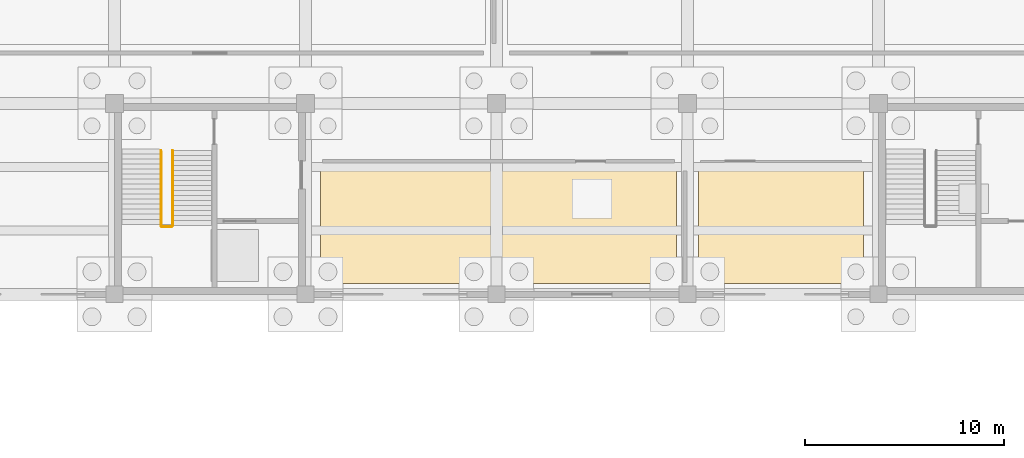
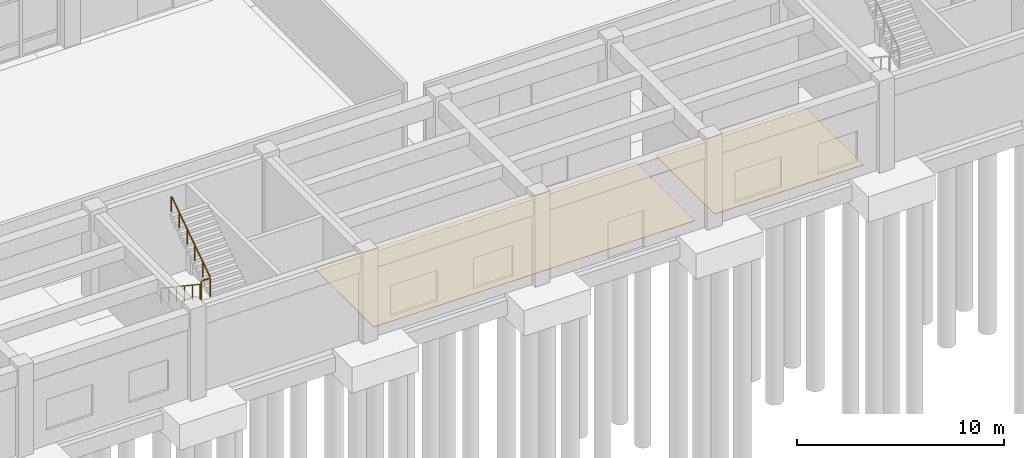
# One storey, part 95 of 102: 3 railings, 2 coverings.
"""IFC4 building model written with IfcOpenShell, lengths in metres."""

from ifc_helpers import new_model, si_unit, direction, frame, origin, origin_2d, place, context, subcontext, project, spatial, polyline, circle, outline, extrude, material, layer, layer_set, type_object, element, save


model = new_model("IFC4")

# Units and contexts
model_context = context("Model", 3, precision=1e-05, world=origin(), true_north=direction((0.0, 1.0)))
body_context = subcontext(model_context, "Body", "Model", "MODEL_VIEW")
ifc_project = project(units=[si_unit("LENGTHUNIT", "METRE"), si_unit("AREAUNIT", "SQUARE_METRE"), si_unit("VOLUMEUNIT", "CUBIC_METRE"), si_unit("PLANEANGLEUNIT", "RADIAN"), si_unit("MASSUNIT", "GRAM", prefix="KILO")], contexts=[model_context])

# Site, building, storey
site_placement = place(None, origin())
site = spatial("IfcSite", under=ifc_project, at=site_placement, CompositionType="ELEMENT")
building_placement = place(site_placement, origin())
building = spatial("IfcBuilding", under=site, at=building_placement, Name="Kolvemor Railside Polytechnic", CompositionType="ELEMENT")
storey_placement = place(building_placement, origin())
storey = spatial("IfcBuildingStorey", under=building, at=storey_placement, Name="L00", CompositionType="ELEMENT", Elevation=0.0)

# Coverings
ifc_material_1 = material(Name="Polished coral-aggregate terrazzo and laboratory epoxy flooring")
ifc_layer_1 = layer(ifc_material_1, 0.02490234375, Name="COV-FLR-2")
ifc_layer_set_1 = layer_set([ifc_layer_1], Name="Polished coral-aggregate terrazzo and laboratory epoxy flooring")
covering_type_1 = type_object("IfcCoveringType", Name="COV-FLR-2", PredefinedType="FLOORING", material=ifc_layer_set_1)
covering_1_placement = place(storey_placement, origin())
element("IfcCovering", 1, at=covering_1_placement, inside=storey, type_object=covering_type_1, Name="Primary 11 kV Electrical Switchroom Floor Finish", PredefinedType="FLOORING", context=body_context, shape_type="SweptSolid", body=[
    extrude(outline(polyline([(96.75, 91.75), (114.64990234375, 91.75), (114.64990234375, 97.449951171875), (96.75, 97.449951171875), (96.75, 91.75)])), origin(), (0.0, 0.0, 1.0), 0.02490234375),
])
ifc_material_2 = material(Name="Polished coral-aggregate terrazzo and laboratory epoxy flooring")
ifc_layer_2 = layer(ifc_material_2, 0.030029296875, Name="COV-FLR-3")
ifc_layer_set_2 = layer_set([ifc_layer_2], Name="Polished coral-aggregate terrazzo and laboratory epoxy flooring")
covering_type_2 = type_object("IfcCoveringType", Name="COV-FLR-3", PredefinedType="FLOORING", material=ifc_layer_set_2)
covering_2_placement = place(storey_placement, origin())
element("IfcCovering", 2, at=covering_2_placement, inside=storey, type_object=covering_type_2, Name="Welding Gas and Chemical Store Floor Finish", PredefinedType="FLOORING", context=body_context, shape_type="SweptSolid", body=[
    extrude(outline(polyline([(115.75, 91.75), (124.050048828125, 91.75), (124.050048828125, 97.449951171875), (115.75, 97.449951171875), (115.75, 91.75)])), origin(), (0.0, 0.0, 1.0), 0.030029296875),
])

# Railings
ifc_material_3 = material(Name="AISI 316 marine stainless-steel balustrade guard", Category="steel")
railing_type_1 = type_object("IfcRailingType", Name="RLG-GUARD-1120", PredefinedType="BALUSTRADE", material=ifc_material_3)
railing_1_placement = place(storey_placement, frame((88.780029296875, 94.60009765625, 2.699951171875)))
element("IfcRailing", 3, at=railing_1_placement, inside=storey, type_object=railing_type_1, Name="ST-8 Half-Landing Slot Guard L00", PredefinedType="BALUSTRADE", context=body_context, shape_type="SweptSolid", body=[
    extrude(circle(Radius=0.02392578125, at=origin_2d()), frame((0.054931640625, 0.0, 1.09619140625), z_axis=(1.0, 0.0, 0.0), x_axis=(0.0, 1.0, 0.0)), (0.0, 0.0, 1.0), 0.389892578125),
    extrude(circle(Radius=0.02099609375, at=origin_2d()), origin(), (0.0, 0.0, 1.0), 1.05712890625),
    extrude(circle(Radius=0.02099609375, at=origin_2d()), frame((0.5, 0.0, 0.0)), (0.0, 0.0, 1.0), 1.05712890625),
])
ifc_material_4 = material(Name="Brushed AISI 316 stainless-steel stair handrail", Category="steel")
railing_type_2 = type_object("IfcRailingType", Name="RLG-HANDRAIL-920", PredefinedType="HANDRAIL", material=ifc_material_4)
railing_2_placement = place(storey_placement, frame((88.739990234375, 98.419921875, 0.168701171875)))
element("IfcRailing", 4, at=railing_2_placement, inside=storey, type_object=railing_type_2, Name="ST-8 Flight 1 Handrail L00", PredefinedType="HANDRAIL", context=body_context, shape_type="SweptSolid", body=[
    extrude(circle(Radius=0.02392578125, at=origin_2d()), frame((0.0, -0.045654296875, 0.926513671875), z_axis=(0.0, -0.830909170722, 0.55640807867), x_axis=(1.0, 0.0, 0.0)), (0.0, 0.0, 1.0), 4.439208984375),
    extrude(circle(Radius=0.02099609375, at=origin_2d()), origin(), (0.0, 0.0, 1.0), 0.85693359375),
    extrude(circle(Radius=0.02099609375, at=origin_2d()), frame((0.0, -0.756103515625, 0.50634765625)), (0.0, 0.0, 1.0), 0.85693359375),
    extrude(circle(Radius=0.02099609375, at=origin_2d()), frame((0.0, -1.511962890625, 1.012451171875)), (0.0, 0.0, 1.0), 0.85693359375),
    extrude(circle(Radius=0.02099609375, at=origin_2d()), frame((0.0, -2.26806640625, 1.518798828125)), (0.0, 0.0, 1.0), 0.85693359375),
    extrude(circle(Radius=0.02099609375, at=origin_2d()), frame((0.0, -3.02392578125, 2.02490234375)), (0.0, 0.0, 1.0), 0.85693359375),
    extrude(circle(Radius=0.02099609375, at=origin_2d()), frame((0.0, -3.780029296875, 2.53125)), (0.0, 0.0, 1.0), 0.85693359375),
])
railing_3_placement = place(storey_placement, frame((89.320068359375, 94.639892578125, 2.86865234375)))
element("IfcRailing", 5, at=railing_3_placement, inside=storey, type_object=railing_type_2, Name="ST-8 Flight 2 Handrail L00", PredefinedType="HANDRAIL", context=body_context, shape_type="SweptSolid", body=[
    extrude(circle(Radius=0.02392578125, at=origin_2d()), frame((0.0, 0.045654296875, 0.926513671875), z_axis=(0.0, 0.830909170722, 0.55640807867), x_axis=(-1.0, 0.0, 0.0)), (0.0, 0.0, 1.0), 4.439208984375),
    extrude(circle(Radius=0.02099609375, at=origin_2d()), origin(), (0.0, 0.0, 1.0), 0.85693359375),
    extrude(circle(Radius=0.02099609375, at=origin_2d()), frame((0.0, 0.756103515625, 0.50634765625)), (0.0, 0.0, 1.0), 0.85693359375),
    extrude(circle(Radius=0.02099609375, at=origin_2d()), frame((0.0, 1.511962890625, 1.012451171875)), (0.0, 0.0, 1.0), 0.85693359375),
    extrude(circle(Radius=0.02099609375, at=origin_2d()), frame((0.0, 2.26806640625, 1.518798828125)), (0.0, 0.0, 1.0), 0.85693359375),
    extrude(circle(Radius=0.02099609375, at=origin_2d()), frame((0.0, 3.02392578125, 2.02490234375)), (0.0, 0.0, 1.0), 0.85693359375),
    extrude(circle(Radius=0.02099609375, at=origin_2d()), frame((0.0, 3.780029296875, 2.53125)), (0.0, 0.0, 1.0), 0.85693359375),
])

save(model, "model.ifc")
